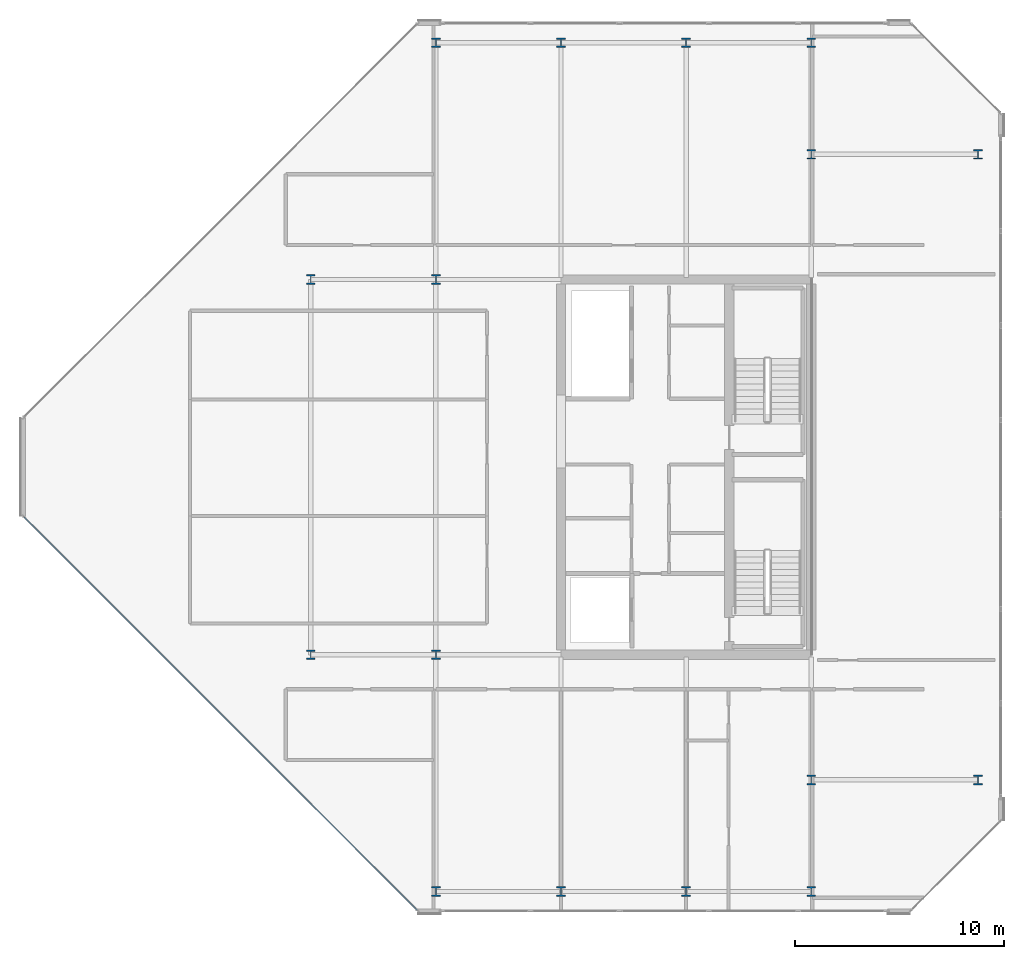
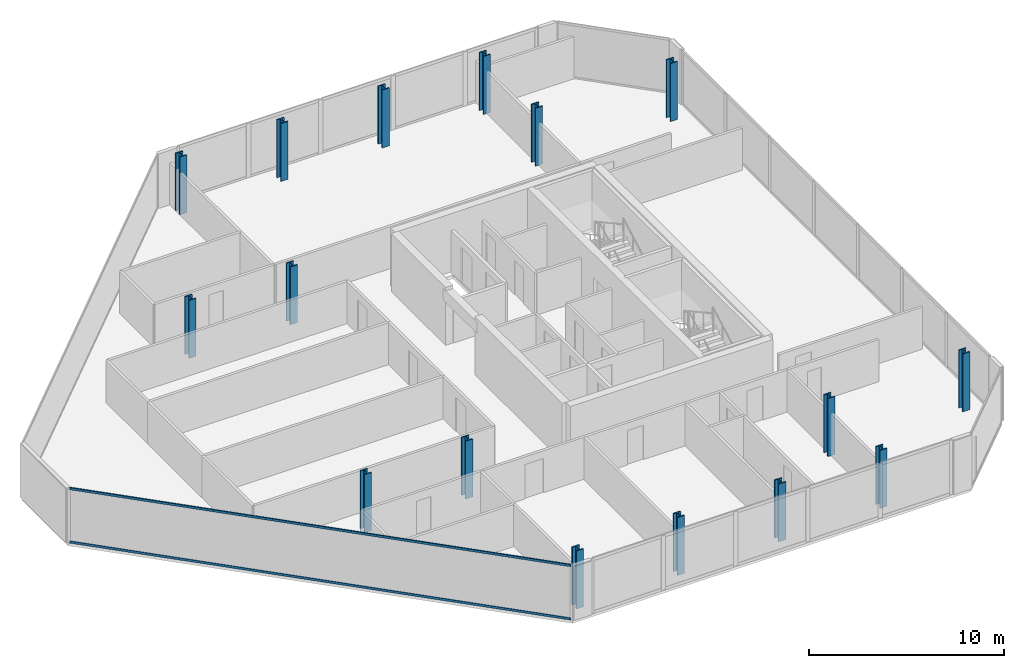
# One storey, part 1 of 17: 16 columns, 2 members, 1 element without a shape of its own.
"""IFC4 building model written with IfcOpenShell, lengths in metres."""

from ifc_helpers import new_model, si_unit, direction, frame, origin, origin_2d, place, context, subcontext, project, spatial, hollow_rectangle, i_section, extrude, material, layer, layer_set, material_profile, profile_set, type_object, element, aggregate, save


model = new_model("IFC4")

# Units and contexts
model_context = context("Model", 3, precision=1e-05, world=origin(), true_north=direction((0.0, 1.0)))
body_context = subcontext(model_context, "Body", "Model", "MODEL_VIEW")
ifc_project = project(units=[si_unit("LENGTHUNIT", "METRE"), si_unit("AREAUNIT", "SQUARE_METRE"), si_unit("VOLUMEUNIT", "CUBIC_METRE"), si_unit("PLANEANGLEUNIT", "RADIAN"), si_unit("MASSUNIT", "GRAM", prefix="KILO")], contexts=[model_context])

# Site, building, storey
site_placement = place(None, origin())
site = spatial("IfcSite", under=ifc_project, at=site_placement, CompositionType="ELEMENT")
building_placement = place(site_placement, origin())
building = spatial("IfcBuilding", under=site, at=building_placement, Name="Tanjung Sevakor Pilgrim Tower", CompositionType="ELEMENT")
storey_placement = place(building_placement, frame((0.0, 0.0, 267.9599609375)))
storey = spatial("IfcBuildingStorey", under=building, at=storey_placement, Name="L75", CompositionType="ELEMENT", Elevation=267.9599609375)

# Columns
ifc_material_1 = material(Name="Steel S460M", Category="steel")
ifc_material_profile_1 = material_profile(ifc_material_1, i_section(OverallWidth=0.4208984375, OverallDepth=0.465087890625, WebThickness=0.044921875, FlangeThickness=0.070068359375, FilletRadius=0.014892578125, at=origin_2d()))
ifc_profile_set_1 = profile_set([ifc_material_profile_1], Name="Steel S460M")
column_type = type_object("IfcColumnType", Name="COL-C-S592-HD_400x592", PredefinedType="COLUMN", material=ifc_profile_set_1)
for number, where, z_axis, x_axis, name in (
    (1, (66.0, 24.60009765625, 0.0), (0.0, 0.0, 1.0), (1.0, 0.0, 0.0), "L75 Column SPE-066-246"),
    (2, (66.0, 42.60009765625, 0.0), (0.0, 0.0, 1.0), (1.0, 0.0, 0.0), "L75 Column SPE-066-426"),
    (3, (72.0, 24.60009765625, 0.0), (0.0, 0.0, 1.0), (1.0, 0.0, 0.0), "L75 Column SPE-072-246"),
    (4, (72.0, 42.60009765625, 0.0), (0.0, 0.0, 1.0), (1.0, 0.0, 0.0), "L75 Column SPE-072-426"),
    (5, (90.0, 18.60009765625, 0.0), (0.0, 0.0, 1.0), (1.0, 0.0, 0.0), "L75 Column TCE-0900-186"),
    (6, (90.0, 48.60009765625, 0.0), (0.0, 0.0, 1.0), (1.0, 0.0, 0.0), "L75 Column TCE-0900-486"),
    (7, (98.0, 18.60009765625, 0.0), (0.0, 0.0, 1.0), (1.0, 0.0, 0.0), "L75 Column TCE-0980-186"),
    (8, (98.0, 48.60009765625, 0.0), (0.0, 0.0, 1.0), (1.0, 0.0, 0.0), "L75 Column TCE-0980-486"),
    (9, (72.0, 13.25, 0.0), (0.0, 0.0, 1.0), (1.0, 0.0, 0.0), "L75 Column TC4-072-132"),
    (10, (72.0, 53.949951171875, 0.0), (0.0, 0.0, 1.0), (1.0, 0.0, 0.0), "L75 Column TC4-072-540"),
    (11, (78.0, 13.25, 0.0), (0.0, 0.0, 1.0), (1.0, 0.0, 0.0), "L75 Column TC4-078-132"),
    (12, (78.0, 53.949951171875, 0.0), (0.0, 0.0, 1.0), (1.0, 0.0, 0.0), "L75 Column TC4-078-540"),
    (13, (84.0, 13.25, 0.0), (0.0, 0.0, 1.0), (1.0, 0.0, 0.0), "L75 Column TC4-084-132"),
    (14, (84.0, 53.949951171875, 0.0), (0.0, 0.0, 1.0), (1.0, 0.0, 0.0), "L75 Column TC4-084-540"),
    (15, (90.0, 13.25, 0.0), (0.0, 0.0, 1.0), (1.0, 0.0, 0.0), "L75 Column TC4-090-132"),
    (16, (90.0, 53.949951171875, 0.0), (0.0, 0.0, 1.0), (1.0, 0.0, 0.0), "L75 Column TC4-090-540"),
):
    element("IfcColumn", number, at=place(storey_placement, frame(where, z_axis=z_axis, x_axis=x_axis)), inside=storey, type_object=column_type, Name=name, PredefinedType="COLUMN", context=body_context, shape_type="SweptSolid", body=[
        extrude(i_section(OverallWidth=0.4208984375, OverallDepth=0.465087890625, WebThickness=0.044921875, FlangeThickness=0.070068359375, FilletRadius=0.014892578125, at=origin_2d()), origin(), (0.0, 0.0, 1.0), 3.630126953125),
    ])

# Curtain wall, members
ifc_material_2 = material(Name="Aluminium 6063-T6 and Low-E Glass", Category="aluminium")
ifc_layer = layer(ifc_material_2, 0.179931640625)
ifc_layer_set = layer_set([ifc_layer], Name="CW-SYS-CHAM")
curtain_wall_type = type_object("IfcCurtainWallType", Name="CW-SYS-CHAM", PredefinedType="NOTDEFINED", material=ifc_layer_set)
curtain_wall_placement = place(storey_placement, origin())
curtain_wall = element("IfcCurtainWall", 17, at=curtain_wall_placement, inside=storey, type_object=curtain_wall_type, Name="L75 Curtain Wall CW-CHM-L75-EAST-7", PredefinedType="NOTDEFINED")
ifc_material_3 = material(Name="Aluminium 6063-T6", Category="aluminium")
ifc_material_profile_2 = material_profile(ifc_material_3, hollow_rectangle(XDim=0.06494140625, YDim=0.139892578125, WallThickness=0.00390625, at=origin_2d()))
ifc_profile_set_2 = profile_set([ifc_material_profile_2], Name="Aluminium 6063-T6")
member_type = type_object("IfcMemberType", Name="TYPE-CWT-1", PredefinedType="USERDEFINED", material=ifc_profile_set_2)
member_1_placement = place(storey_placement, frame((52.255859375, 31.19970703125, 0.032470703125), z_axis=(0.707106781187, -0.707106781187, 0.0), x_axis=(0.707106781187, 0.707106781187, 0.0)))
member_1 = element("IfcMember", 18, at=member_1_placement, type_object=member_type, Name="CW-CHM transom 1.1", ObjectType="TRANSOM", PredefinedType="USERDEFINED", context=body_context, shape_type="SweptSolid", body=[
    extrude(hollow_rectangle(XDim=0.06494140625, YDim=0.139892578125, WallThickness=0.00390625, at=origin_2d()), origin(), (0.0, 0.0, 1.0), 26.649169921875),
])
member_2_placement = place(storey_placement, frame((52.255859375, 31.19970703125, 3.37744140625), z_axis=(0.707106781187, -0.707106781187, 0.0), x_axis=(0.707106781187, 0.707106781187, 0.0)))
member_2 = element("IfcMember", 19, at=member_2_placement, type_object=member_type, Name="CW-CHM transom 1.2", ObjectType="TRANSOM", PredefinedType="USERDEFINED", context=body_context, shape_type="SweptSolid", body=[
    extrude(hollow_rectangle(XDim=0.06494140625, YDim=0.139892578125, WallThickness=0.00390625, at=origin_2d()), origin(), (0.0, 0.0, 1.0), 26.649169921875),
])
aggregate(curtain_wall, [member_1, member_2])

save(model, "model.ifc")
